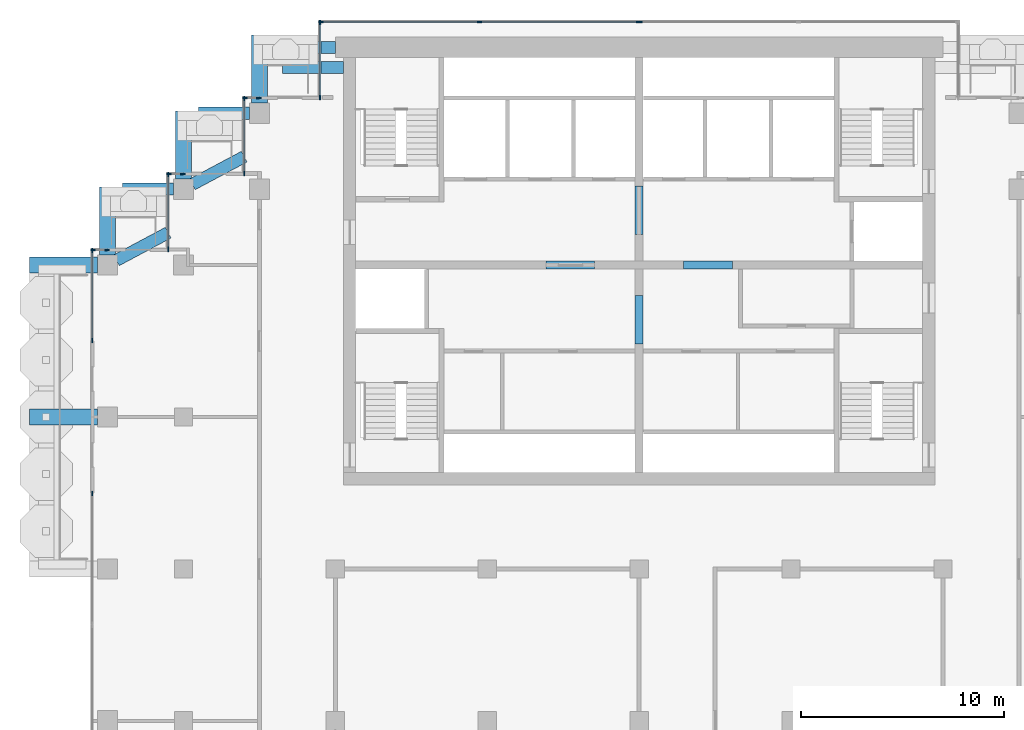
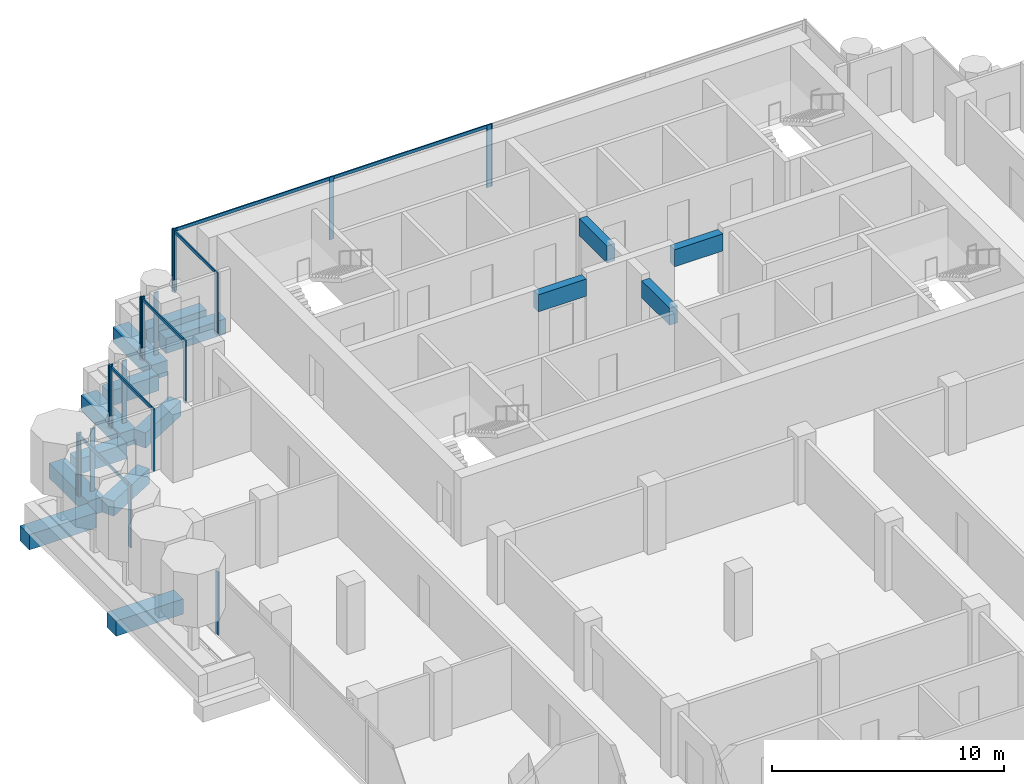
# One storey, part 5 of 17: 25 members, 15 beams, 10 elements without a shape of their own.
"""IFC4 building model written with IfcOpenShell, lengths in metres."""

from ifc_helpers import new_model, si_unit, direction, frame, origin, origin_2d, place, context, subcontext, project, spatial, rectangle, extrude, material, material_profile, profile_set, type_object, element, aggregate, save


model = new_model("IFC4")

# Units and contexts
model_context = context("Model", 3, precision=1e-05, world=origin(), true_north=direction((0.0, 1.0)))
body_context = subcontext(model_context, "Body", "Model", "MODEL_VIEW")
ifc_project = project(units=[si_unit("LENGTHUNIT", "METRE"), si_unit("AREAUNIT", "SQUARE_METRE"), si_unit("VOLUMEUNIT", "CUBIC_METRE"), si_unit("PLANEANGLEUNIT", "RADIAN"), si_unit("MASSUNIT", "GRAM", prefix="KILO")], contexts=[model_context])

# Site, building, storey
site_placement = place(None, origin())
site = spatial("IfcSite", under=ifc_project, at=site_placement, CompositionType="ELEMENT")
building_placement = place(site_placement, origin())
building = spatial("IfcBuilding", under=site, at=building_placement, Name="Pilkhan Gate Tower", CompositionType="ELEMENT")
storey_placement = place(building_placement, frame((0.0, 0.0, 206.699951171875)))
storey = spatial("IfcBuildingStorey", under=building, at=storey_placement, Name="L53", CompositionType="ELEMENT", Elevation=206.699951171875)

# Beams
ifc_material_1 = material(Name="Concrete C50/60", Category="concrete")
ifc_material_profile_1 = material_profile(ifc_material_1, rectangle(XDim=0.60009765625, YDim=0.800048828125, at=origin_2d()), Name="RC 600x800")
ifc_profile_set_1 = profile_set([ifc_material_profile_1], Name="Concrete C50/60")
beam_type_1 = type_object("IfcBeamType", Name="Cantilever beam CB1 RC 600x800 C50/60", PredefinedType="BEAM", material=ifc_profile_set_1)
for number, where, z_axis, x_axis, name in (
    (1, (60.0, 93.25, -0.699951171875), (-1.0, 0.0, 0.0), (0.0, -1.0, 0.0), "Balcony beam NW.2 L53"),
    (2, (60.39990234375, 92.25, -0.699951171875), (-1.0, 0.0, 0.0), (0.0, -1.0, 0.0), "Balcony beam NW.3 L53"),
):
    element("IfcBeam", number, at=place(storey_placement, frame(where, z_axis=z_axis, x_axis=x_axis)), inside=storey, type_object=beam_type_1, Name=name, PredefinedType="BEAM", context=body_context, shape_type="SweptSolid", body=[
        extrude(rectangle(XDim=0.60009765625, YDim=0.800048828125, at=origin_2d()), origin(), (0.0, 0.0, 1.0), 3.0),
    ])
beam_1_placement = place(storey_placement, frame((55.75, 90.0, -0.699951171875), z_axis=(-1.0, 0.0, 0.0), x_axis=(0.0, -1.0, 0.0)))
element("IfcBeam", 3, at=beam_1_placement, inside=storey, type_object=beam_type_1, Name="Balcony beam NW1.2 L53", PredefinedType="BEAM", context=body_context, shape_type="SweptSolid", body=[
    extrude(rectangle(XDim=0.60009765625, YDim=0.800048828125, at=origin_2d()), origin(), (0.0, 0.0, 1.0), 2.5),
])
beam_2_placement = place(storey_placement, frame((52.941162109375, 86.4853515625, -0.699951171875), z_axis=(0.882348280344, 0.470596974251, 0.0), x_axis=(-0.470596974251, 0.882348280344, 0.0)))
element("IfcBeam", 4, at=beam_2_placement, inside=storey, type_object=beam_type_1, Name="Balcony beam NW1.3 L53", PredefinedType="BEAM", context=body_context, shape_type="SweptSolid", body=[
    extrude(rectangle(XDim=0.60009765625, YDim=0.800048828125, at=origin_2d()), origin(), (0.0, 0.0, 1.0), 2.900146484375),
])
beam_3_placement = place(storey_placement, frame((52.0, 86.25, -0.699951171875), z_axis=(-1.0, 0.0, 0.0), x_axis=(0.0, -1.0, 0.0)))
element("IfcBeam", 5, at=beam_3_placement, inside=storey, type_object=beam_type_1, Name="Balcony beam NW2.2 L53", PredefinedType="BEAM", context=body_context, shape_type="SweptSolid", body=[
    extrude(rectangle(XDim=0.60009765625, YDim=0.800048828125, at=origin_2d()), origin(), (0.0, 0.0, 1.0), 2.5),
])
beam_4_placement = place(storey_placement, frame((49.191162109375, 82.7353515625, -0.699951171875), z_axis=(0.882348280344, 0.470596974251, 0.0), x_axis=(-0.470596974251, 0.882348280344, 0.0)))
element("IfcBeam", 6, at=beam_4_placement, inside=storey, type_object=beam_type_1, Name="Balcony beam NW2.3 L53", PredefinedType="BEAM", context=body_context, shape_type="SweptSolid", body=[
    extrude(rectangle(XDim=0.60009765625, YDim=0.800048828125, at=origin_2d()), origin(), (0.0, 0.0, 1.0), 2.900146484375),
])
ifc_material_profile_2 = material_profile(ifc_material_1, rectangle(XDim=0.800048828125, YDim=0.800048828125, at=origin_2d()), Name="RC 800x800")
ifc_profile_set_2 = profile_set([ifc_material_profile_2], Name="Concrete C50/60")
beam_type_2 = type_object("IfcBeamType", Name="Cantilever beam CB2 RC 800x800 C50/60", PredefinedType="BEAM", material=ifc_profile_set_2)
for number, where, z_axis, x_axis, name in (
    (7, (56.25, 90.5, -0.699951171875), (0.0, 1.0, 0.0), (-1.0, 0.0, 0.0), "Balcony beam NW.1 L53"),
    (8, (52.5, 86.75, -0.699951171875), (0.0, 1.0, 0.0), (-1.0, 0.0, 0.0), "Balcony beam NW1.1 L53"),
    (9, (48.75, 83.0, -0.699951171875), (0.0, 1.0, 0.0), (-1.0, 0.0, 0.0), "Balcony beam NW2.1 L53"),
    (10, (48.25, 75.0, -0.699951171875), (-1.0, 0.0, 0.0), (0.0, -1.0, 0.0), "Balcony beam W.2 L53"),
    (11, (48.25, 82.5, -0.699951171875), (-1.0, 0.0, 0.0), (0.0, -1.0, 0.0), "Balcony beam W.3 L53"),
):
    element("IfcBeam", number, at=place(storey_placement, frame(where, z_axis=z_axis, x_axis=x_axis)), inside=storey, type_object=beam_type_2, Name=name, PredefinedType="BEAM", context=body_context, shape_type="SweptSolid", body=[
        extrude(rectangle(XDim=0.800048828125, YDim=0.800048828125, at=origin_2d()), origin(), (0.0, 0.0, 1.0), 3.35009765625),
    ])
ifc_material_profile_3 = material_profile(ifc_material_1, rectangle(XDim=0.39990234375, YDim=0.89990234375, at=origin_2d()), Name="RC 400x900")
ifc_profile_set_3 = profile_set([ifc_material_profile_3], Name="Concrete C50/60")
beam_type_3 = type_object("IfcBeamType", Name="Coupling beam CB90-4 RC 400x900 C50/60", PredefinedType="LINTEL", material=ifc_profile_set_3)
for number, where, z_axis, x_axis, name in (
    (12, (70.39990234375, 82.5, 2.85009765625), (1.0, 0.0, 0.0), (0.0, 1.0, 0.0), "Coupling beam 1 L53"),
    (13, (77.199951171875, 82.5, 2.85009765625), (1.0, 0.0, 0.0), (0.0, 1.0, 0.0), "Coupling beam 2 L53"),
):
    element("IfcBeam", number, at=place(storey_placement, frame(where, z_axis=z_axis, x_axis=x_axis)), inside=storey, type_object=beam_type_3, Name=name, PredefinedType="LINTEL", context=body_context, shape_type="SweptSolid", body=[
        extrude(rectangle(XDim=0.39990234375, YDim=0.89990234375, at=origin_2d()), origin(), (0.0, 0.0, 1.0), 2.400146484375),
    ])
for number, where, z_axis, x_axis, name in (
    (14, (75.0, 78.60009765625, 2.85009765625), (0.0, 1.0, 0.0), (-1.0, 0.0, 0.0), "Coupling beam 3 L53"),
    (15, (75.0, 84.0, 2.85009765625), (0.0, 1.0, 0.0), (-1.0, 0.0, 0.0), "Coupling beam 4 L53"),
):
    element("IfcBeam", number, at=place(storey_placement, frame(where, z_axis=z_axis, x_axis=x_axis)), inside=storey, type_object=beam_type_3, Name=name, PredefinedType="LINTEL", context=body_context, shape_type="SweptSolid", body=[
        extrude(rectangle(XDim=0.39990234375, YDim=0.89990234375, at=origin_2d()), origin(), (0.0, 0.0, 1.0), 2.39990234375),
    ])

# Curtain wall, members
ifc_material_2 = material(Name="Pale anodised aluminium, clear low-iron double glazing", Category="aluminium")
curtain_wall_type = type_object("IfcCurtainWallType", Name="Office unitised curtain wall CW-O2", PredefinedType="USERDEFINED", material=ifc_material_2)
curtain_wall_1_placement = place(storey_placement, origin())
curtain_wall_1 = element("IfcCurtainWall", 16, at=curtain_wall_1_placement, inside=storey, type_object=curtain_wall_type, Name="Office unitised curtain wall CW-O2 L53 N", ObjectType="UNITISED CURTAIN WALL", PredefinedType="USERDEFINED")
ifc_material_3 = material(Name="Pale anodised aluminium", Category="aluminium")
ifc_material_profile_4 = material_profile(ifc_material_3, rectangle(XDim=0.06494140625, YDim=0.22509765625, at=origin_2d()), Name="Mullion 225x65")
ifc_profile_set_4 = profile_set([ifc_material_profile_4], Name="Pale anodised aluminium")
member_type_1 = type_object("IfcMemberType", Name="Mullion CW-O2 225x65", PredefinedType="MULLION", material=ifc_profile_set_4)
member_1_placement = place(storey_placement, frame((59.282470703125, 94.5, 0.0), z_axis=(0.0, 0.0, 1.0), x_axis=(0.0, 1.0, 0.0)))
member_1 = element("IfcMember", 17, at=member_1_placement, type_object=member_type_1, Name="CW-O2 mullion 1", PredefinedType="MULLION", context=body_context, shape_type="SweptSolid", body=[
    extrude(rectangle(XDim=0.06494140625, YDim=0.22509765625, at=origin_2d()), origin(), (0.0, 0.0, 1.0), 3.300048828125),
])
member_2_placement = place(storey_placement, frame((67.125, 94.5, 0.0), z_axis=(0.0, 0.0, 1.0), x_axis=(0.0, 1.0, 0.0)))
member_2 = element("IfcMember", 18, at=member_2_placement, type_object=member_type_1, Name="CW-O2 mullion 2", PredefinedType="MULLION", context=body_context, shape_type="SweptSolid", body=[
    extrude(rectangle(XDim=0.06494140625, YDim=0.22509765625, at=origin_2d()), origin(), (0.0, 0.0, 1.0), 3.300048828125),
])
member_3_placement = place(storey_placement, frame((74.967529296875, 94.5, 0.0), z_axis=(0.0, 0.0, 1.0), x_axis=(0.0, 1.0, 0.0)))
member_3 = element("IfcMember", 19, at=member_3_placement, type_object=member_type_1, Name="CW-O2 mullion 3", PredefinedType="MULLION", context=body_context, shape_type="SweptSolid", body=[
    extrude(rectangle(XDim=0.06494140625, YDim=0.22509765625, at=origin_2d()), origin(), (0.0, 0.0, 1.0), 3.300048828125),
])

# Curtain wall, member
curtain_wall_2_placement = place(storey_placement, origin())
curtain_wall_2 = element("IfcCurtainWall", 20, at=curtain_wall_2_placement, inside=storey, type_object=curtain_wall_type, Name="Office unitised curtain wall CW-O2 L53 N", ObjectType="UNITISED CURTAIN WALL", PredefinedType="USERDEFINED")
member_4_placement = place(storey_placement, frame((75.032470703125, 94.5, 0.0), z_axis=(0.0, 0.0, 1.0), x_axis=(0.0, 1.0, 0.0)))
member_4 = element("IfcMember", 21, at=member_4_placement, type_object=member_type_1, Name="CW-O2 mullion 1", PredefinedType="MULLION", context=body_context, shape_type="SweptSolid", body=[
    extrude(rectangle(XDim=0.06494140625, YDim=0.22509765625, at=origin_2d()), origin(), (0.0, 0.0, 1.0), 3.300048828125),
])
aggregate(curtain_wall_2, [member_4])

# Curtain wall, members
curtain_wall_3_placement = place(storey_placement, origin())
curtain_wall_3 = element("IfcCurtainWall", 22, at=curtain_wall_3_placement, inside=storey, type_object=curtain_wall_type, Name="Office unitised curtain wall CW-O2 L53 W", ObjectType="UNITISED CURTAIN WALL", PredefinedType="USERDEFINED")
member_5_placement = place(storey_placement, frame((59.25, 90.782470703125, 0.0), z_axis=(0.0, 0.0, 1.0), x_axis=(-1.0, 0.0, 0.0)))
member_5 = element("IfcMember", 23, at=member_5_placement, type_object=member_type_1, Name="CW-O2 mullion 1", PredefinedType="MULLION", context=body_context, shape_type="SweptSolid", body=[
    extrude(rectangle(XDim=0.06494140625, YDim=0.22509765625, at=origin_2d()), origin(), (0.0, 0.0, 1.0), 3.300048828125),
])
member_6_placement = place(storey_placement, frame((59.25, 94.467529296875, 0.0), z_axis=(0.0, 0.0, 1.0), x_axis=(-1.0, 0.0, 0.0)))
member_6 = element("IfcMember", 24, at=member_6_placement, type_object=member_type_1, Name="CW-O2 mullion 2", PredefinedType="MULLION", context=body_context, shape_type="SweptSolid", body=[
    extrude(rectangle(XDim=0.06494140625, YDim=0.22509765625, at=origin_2d()), origin(), (0.0, 0.0, 1.0), 3.300048828125),
])

curtain_wall_4_placement = place(storey_placement, origin())
curtain_wall_4 = element("IfcCurtainWall", 25, at=curtain_wall_4_placement, inside=storey, type_object=curtain_wall_type, Name="Office unitised curtain wall CW-O2 L53 N", ObjectType="UNITISED CURTAIN WALL", PredefinedType="USERDEFINED")
member_7_placement = place(storey_placement, frame((55.532470703125, 90.75, 0.0), z_axis=(0.0, 0.0, 1.0), x_axis=(0.0, 1.0, 0.0)))
member_7 = element("IfcMember", 26, at=member_7_placement, type_object=member_type_1, Name="CW-O2 mullion 1", PredefinedType="MULLION", context=body_context, shape_type="SweptSolid", body=[
    extrude(rectangle(XDim=0.06494140625, YDim=0.22509765625, at=origin_2d()), origin(), (0.0, 0.0, 1.0), 3.300048828125),
])
member_8_placement = place(storey_placement, frame((56.217529296875, 90.75, 0.0), z_axis=(0.0, 0.0, 1.0), x_axis=(0.0, 1.0, 0.0)))
member_8 = element("IfcMember", 27, at=member_8_placement, type_object=member_type_1, Name="CW-O2 mullion 2", PredefinedType="MULLION", context=body_context, shape_type="SweptSolid", body=[
    extrude(rectangle(XDim=0.06494140625, YDim=0.22509765625, at=origin_2d()), origin(), (0.0, 0.0, 1.0), 3.300048828125),
])
aggregate(curtain_wall_4, [member_7, member_8])

curtain_wall_5_placement = place(storey_placement, origin())
curtain_wall_5 = element("IfcCurtainWall", 28, at=curtain_wall_5_placement, inside=storey, type_object=curtain_wall_type, Name="Office unitised curtain wall CW-O2 L53 W", ObjectType="UNITISED CURTAIN WALL", PredefinedType="USERDEFINED")
member_9_placement = place(storey_placement, frame((55.5, 87.032470703125, 0.0), z_axis=(0.0, 0.0, 1.0), x_axis=(-1.0, 0.0, 0.0)))
member_9 = element("IfcMember", 29, at=member_9_placement, type_object=member_type_1, Name="CW-O2 mullion 1", PredefinedType="MULLION", context=body_context, shape_type="SweptSolid", body=[
    extrude(rectangle(XDim=0.06494140625, YDim=0.22509765625, at=origin_2d()), origin(), (0.0, 0.0, 1.0), 3.300048828125),
])
member_10_placement = place(storey_placement, frame((55.5, 90.717529296875, 0.0), z_axis=(0.0, 0.0, 1.0), x_axis=(-1.0, 0.0, 0.0)))
member_10 = element("IfcMember", 30, at=member_10_placement, type_object=member_type_1, Name="CW-O2 mullion 2", PredefinedType="MULLION", context=body_context, shape_type="SweptSolid", body=[
    extrude(rectangle(XDim=0.06494140625, YDim=0.22509765625, at=origin_2d()), origin(), (0.0, 0.0, 1.0), 3.300048828125),
])

curtain_wall_6_placement = place(storey_placement, origin())
curtain_wall_6 = element("IfcCurtainWall", 31, at=curtain_wall_6_placement, inside=storey, type_object=curtain_wall_type, Name="Office unitised curtain wall CW-O2 L53 N", ObjectType="UNITISED CURTAIN WALL", PredefinedType="USERDEFINED")
member_11_placement = place(storey_placement, frame((51.782470703125, 87.0, 0.0), z_axis=(0.0, 0.0, 1.0), x_axis=(0.0, 1.0, 0.0)))
member_11 = element("IfcMember", 32, at=member_11_placement, type_object=member_type_1, Name="CW-O2 mullion 1", PredefinedType="MULLION", context=body_context, shape_type="SweptSolid", body=[
    extrude(rectangle(XDim=0.06494140625, YDim=0.22509765625, at=origin_2d()), origin(), (0.0, 0.0, 1.0), 3.300048828125),
])
member_12_placement = place(storey_placement, frame((52.467529296875, 87.0, 0.0), z_axis=(0.0, 0.0, 1.0), x_axis=(0.0, 1.0, 0.0)))
member_12 = element("IfcMember", 33, at=member_12_placement, type_object=member_type_1, Name="CW-O2 mullion 2", PredefinedType="MULLION", context=body_context, shape_type="SweptSolid", body=[
    extrude(rectangle(XDim=0.06494140625, YDim=0.22509765625, at=origin_2d()), origin(), (0.0, 0.0, 1.0), 3.300048828125),
])
aggregate(curtain_wall_6, [member_11, member_12])

curtain_wall_7_placement = place(storey_placement, origin())
curtain_wall_7 = element("IfcCurtainWall", 34, at=curtain_wall_7_placement, inside=storey, type_object=curtain_wall_type, Name="Office unitised curtain wall CW-O2 L53 W", ObjectType="UNITISED CURTAIN WALL", PredefinedType="USERDEFINED")
member_13_placement = place(storey_placement, frame((51.75, 83.282470703125, 0.0), z_axis=(0.0, 0.0, 1.0), x_axis=(-1.0, 0.0, 0.0)))
member_13 = element("IfcMember", 35, at=member_13_placement, type_object=member_type_1, Name="CW-O2 mullion 1", PredefinedType="MULLION", context=body_context, shape_type="SweptSolid", body=[
    extrude(rectangle(XDim=0.06494140625, YDim=0.22509765625, at=origin_2d()), origin(), (0.0, 0.0, 1.0), 3.300048828125),
])
member_14_placement = place(storey_placement, frame((51.75, 86.967529296875, 0.0), z_axis=(0.0, 0.0, 1.0), x_axis=(-1.0, 0.0, 0.0)))
member_14 = element("IfcMember", 36, at=member_14_placement, type_object=member_type_1, Name="CW-O2 mullion 2", PredefinedType="MULLION", context=body_context, shape_type="SweptSolid", body=[
    extrude(rectangle(XDim=0.06494140625, YDim=0.22509765625, at=origin_2d()), origin(), (0.0, 0.0, 1.0), 3.300048828125),
])

curtain_wall_8_placement = place(storey_placement, origin())
curtain_wall_8 = element("IfcCurtainWall", 37, at=curtain_wall_8_placement, inside=storey, type_object=curtain_wall_type, Name="Office unitised curtain wall CW-O2 L53 N", ObjectType="UNITISED CURTAIN WALL", PredefinedType="USERDEFINED")
member_15_placement = place(storey_placement, frame((48.032470703125, 83.25, 0.0), z_axis=(0.0, 0.0, 1.0), x_axis=(0.0, 1.0, 0.0)))
member_15 = element("IfcMember", 38, at=member_15_placement, type_object=member_type_1, Name="CW-O2 mullion 1", PredefinedType="MULLION", context=body_context, shape_type="SweptSolid", body=[
    extrude(rectangle(XDim=0.06494140625, YDim=0.22509765625, at=origin_2d()), origin(), (0.0, 0.0, 1.0), 3.300048828125),
])
member_16_placement = place(storey_placement, frame((48.717529296875, 83.25, 0.0), z_axis=(0.0, 0.0, 1.0), x_axis=(0.0, 1.0, 0.0)))
member_16 = element("IfcMember", 39, at=member_16_placement, type_object=member_type_1, Name="CW-O2 mullion 2", PredefinedType="MULLION", context=body_context, shape_type="SweptSolid", body=[
    extrude(rectangle(XDim=0.06494140625, YDim=0.22509765625, at=origin_2d()), origin(), (0.0, 0.0, 1.0), 3.300048828125),
])
aggregate(curtain_wall_8, [member_15, member_16])

# Curtain wall, member
curtain_wall_9_placement = place(storey_placement, origin())
curtain_wall_9 = element("IfcCurtainWall", 40, at=curtain_wall_9_placement, inside=storey, type_object=curtain_wall_type, Name="Office unitised curtain wall CW-O2 L53 W", ObjectType="UNITISED CURTAIN WALL", PredefinedType="USERDEFINED")
member_17_placement = place(storey_placement, frame((48.0, 71.217529296875, 0.0), z_axis=(0.0, 0.0, 1.0), x_axis=(-1.0, 0.0, 0.0)))
member_17 = element("IfcMember", 41, at=member_17_placement, type_object=member_type_1, Name="CW-O2 mullion 2", PredefinedType="MULLION", context=body_context, shape_type="SweptSolid", body=[
    extrude(rectangle(XDim=0.06494140625, YDim=0.22509765625, at=origin_2d()), origin(), (0.0, 0.0, 1.0), 3.300048828125),
])
aggregate(curtain_wall_9, [member_17])

# Curtain wall, members
curtain_wall_10_placement = place(storey_placement, origin())
curtain_wall_10 = element("IfcCurtainWall", 42, at=curtain_wall_10_placement, inside=storey, type_object=curtain_wall_type, Name="Office unitised curtain wall CW-O2 L53 W", ObjectType="UNITISED CURTAIN WALL", PredefinedType="USERDEFINED")
member_18_placement = place(storey_placement, frame((48.0, 78.782470703125, 0.0), z_axis=(0.0, 0.0, 1.0), x_axis=(-1.0, 0.0, 0.0)))
member_18 = element("IfcMember", 43, at=member_18_placement, type_object=member_type_1, Name="CW-O2 mullion 1", PredefinedType="MULLION", context=body_context, shape_type="SweptSolid", body=[
    extrude(rectangle(XDim=0.06494140625, YDim=0.22509765625, at=origin_2d()), origin(), (0.0, 0.0, 1.0), 3.300048828125),
])
member_19_placement = place(storey_placement, frame((48.0, 83.217529296875, 0.0), z_axis=(0.0, 0.0, 1.0), x_axis=(-1.0, 0.0, 0.0)))
member_19 = element("IfcMember", 44, at=member_19_placement, type_object=member_type_1, Name="CW-O2 mullion 2", PredefinedType="MULLION", context=body_context, shape_type="SweptSolid", body=[
    extrude(rectangle(XDim=0.06494140625, YDim=0.22509765625, at=origin_2d()), origin(), (0.0, 0.0, 1.0), 3.300048828125),
])

# Member
ifc_material_profile_5 = material_profile(ifc_material_3, rectangle(XDim=0.06494140625, YDim=0.1650390625, at=origin_2d()), Name="Transom 165x65")
ifc_profile_set_5 = profile_set([ifc_material_profile_5], Name="Pale anodised aluminium")
member_type_2 = type_object("IfcMemberType", Name="Transom CW-O2 165x65", PredefinedType="USERDEFINED", material=ifc_profile_set_5)
member_20_placement = place(storey_placement, frame((59.31494140625, 94.5, 3.217529296875), z_axis=(1.0, 0.0, 0.0), x_axis=(0.0, 1.0, 0.0)))
member_20 = element("IfcMember", 45, at=member_20_placement, type_object=member_type_2, Name="CW-O2 transom 1", ObjectType="TRANSOM", PredefinedType="USERDEFINED", context=body_context, shape_type="SweptSolid", body=[
    extrude(rectangle(XDim=0.06494140625, YDim=0.1650390625, at=origin_2d()), origin(), (0.0, 0.0, 1.0), 7.777587890625),
])

member_21_placement = place(storey_placement, frame((67.157470703125, 94.5, 3.217529296875), z_axis=(1.0, 0.0, 0.0), x_axis=(0.0, 1.0, 0.0)))
member_21 = element("IfcMember", 46, at=member_21_placement, type_object=member_type_2, Name="CW-O2 transom 2", ObjectType="TRANSOM", PredefinedType="USERDEFINED", context=body_context, shape_type="SweptSolid", body=[
    extrude(rectangle(XDim=0.06494140625, YDim=0.1650390625, at=origin_2d()), origin(), (0.0, 0.0, 1.0), 7.777587890625),
])

aggregate(curtain_wall_1, [member_1, member_2, member_3, member_20, member_21])

member_22_placement = place(storey_placement, frame((59.25, 90.81494140625, 3.217529296875), z_axis=(0.0, 1.0, 0.0), x_axis=(-1.0, 0.0, 0.0)))
member_22 = element("IfcMember", 47, at=member_22_placement, type_object=member_type_2, Name="CW-O2 transom 1", ObjectType="TRANSOM", PredefinedType="USERDEFINED", context=body_context, shape_type="SweptSolid", body=[
    extrude(rectangle(XDim=0.06494140625, YDim=0.1650390625, at=origin_2d()), origin(), (0.0, 0.0, 1.0), 3.6201171875),
])

aggregate(curtain_wall_3, [member_5, member_6, member_22])

member_23_placement = place(storey_placement, frame((55.5, 87.06494140625, 3.217529296875), z_axis=(0.0, 1.0, 0.0), x_axis=(-1.0, 0.0, 0.0)))
member_23 = element("IfcMember", 48, at=member_23_placement, type_object=member_type_2, Name="CW-O2 transom 1", ObjectType="TRANSOM", PredefinedType="USERDEFINED", context=body_context, shape_type="SweptSolid", body=[
    extrude(rectangle(XDim=0.06494140625, YDim=0.1650390625, at=origin_2d()), origin(), (0.0, 0.0, 1.0), 3.6201171875),
])

aggregate(curtain_wall_5, [member_9, member_10, member_23])

member_24_placement = place(storey_placement, frame((51.75, 83.31494140625, 3.217529296875), z_axis=(0.0, 1.0, 0.0), x_axis=(-1.0, 0.0, 0.0)))
member_24 = element("IfcMember", 49, at=member_24_placement, type_object=member_type_2, Name="CW-O2 transom 1", ObjectType="TRANSOM", PredefinedType="USERDEFINED", context=body_context, shape_type="SweptSolid", body=[
    extrude(rectangle(XDim=0.06494140625, YDim=0.1650390625, at=origin_2d()), origin(), (0.0, 0.0, 1.0), 3.6201171875),
])

aggregate(curtain_wall_7, [member_13, member_14, member_24])

member_25_placement = place(storey_placement, frame((48.0, 78.81494140625, 3.217529296875), z_axis=(0.0, 1.0, 0.0), x_axis=(-1.0, 0.0, 0.0)))
member_25 = element("IfcMember", 50, at=member_25_placement, type_object=member_type_2, Name="CW-O2 transom 1", ObjectType="TRANSOM", PredefinedType="USERDEFINED", context=body_context, shape_type="SweptSolid", body=[
    extrude(rectangle(XDim=0.06494140625, YDim=0.1650390625, at=origin_2d()), origin(), (0.0, 0.0, 1.0), 4.3701171875),
])

aggregate(curtain_wall_10, [member_18, member_19, member_25])

save(model, "model.ifc")
